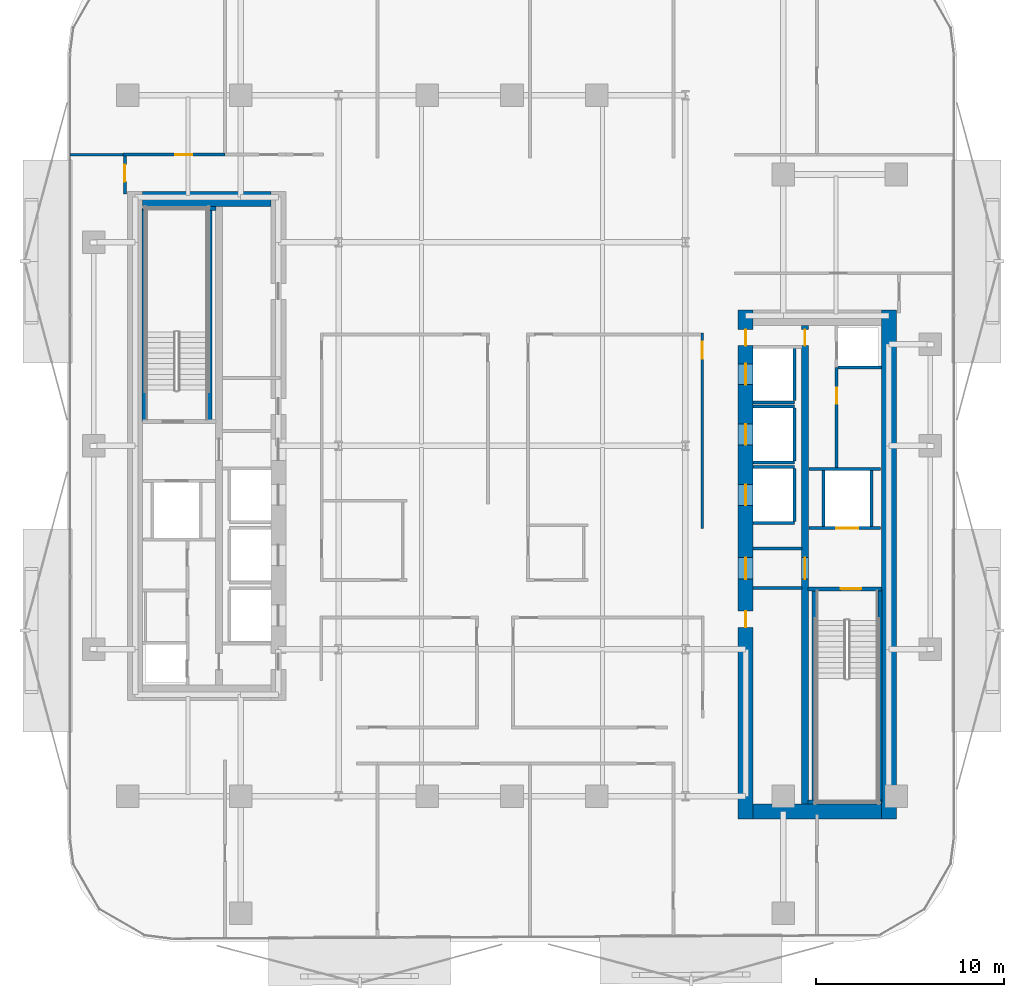
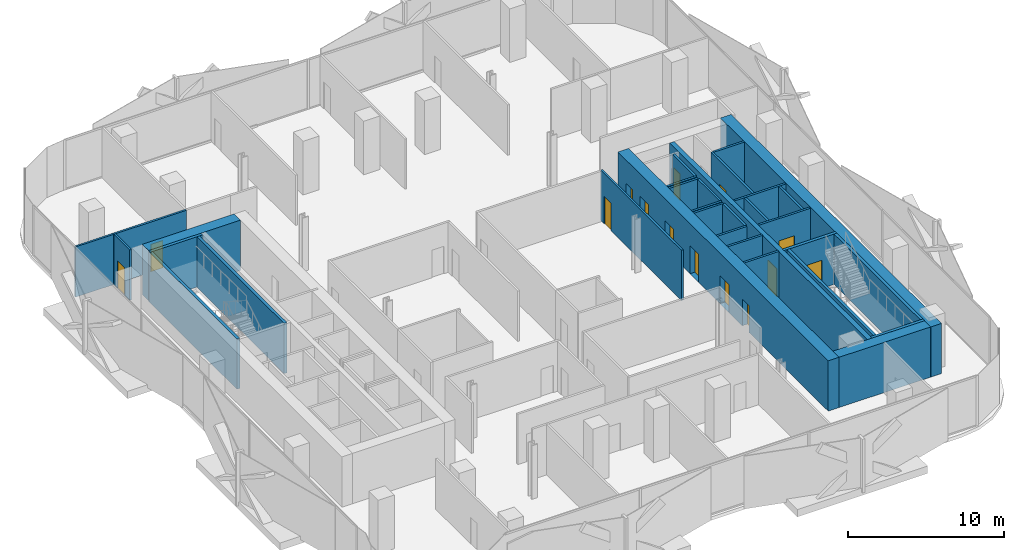
# One storey, part 5 of 15: 32 walls, 14 doors, 14 openings.
"""IFC4 building model written with IfcOpenShell, lengths in metres."""

from ifc_helpers import new_model, si_unit, direction, frame, frame_2d, origin, place, context, subcontext, project, spatial, rectangle, extrude, material, layer, layer_set, type_object, element, fill, save


model = new_model("IFC4")

# Units and contexts
model_context = context("Model", 3, precision=1e-05, world=origin(), true_north=direction((0.0, 1.0)))
body_context = subcontext(model_context, "Body", "Model", "MODEL_VIEW")
ifc_project = project(units=[si_unit("LENGTHUNIT", "METRE"), si_unit("AREAUNIT", "SQUARE_METRE"), si_unit("VOLUMEUNIT", "CUBIC_METRE"), si_unit("PLANEANGLEUNIT", "RADIAN"), si_unit("MASSUNIT", "GRAM", prefix="KILO")], contexts=[model_context])

# Site, building, storey
site_placement = place(None, origin())
site = spatial("IfcSite", under=ifc_project, at=site_placement, CompositionType="ELEMENT")
building_placement = place(site_placement, origin())
building = spatial("IfcBuilding", under=site, at=building_placement, Name="Khairoan Windgate Tower", CompositionType="ELEMENT")
storey_placement = place(building_placement, frame((0.0, 0.0, 135.199951171875)))
storey = spatial("IfcBuildingStorey", under=building, at=storey_placement, Name="L31", CompositionType="ELEMENT", Elevation=135.199951171875)

# Walls
ifc_material_1 = material(Name="Concrete C40/50", Category="concrete")
ifc_layer_1 = layer(ifc_material_1, 0.159912109375, Name="Concrete C40/50")
ifc_layer_set_1 = layer_set([ifc_layer_1], Name="Concrete C40/50")
wall_type_1 = type_object("IfcWallType", Name="Core and Hoistway Enclosure Wall", PredefinedType="STANDARD", material=ifc_layer_set_1)
wall_1_placement = place(storey_placement, frame((12.800048828125, 2.31005859375, 0.0), z_axis=(0.0, 0.0, 1.0), x_axis=(1.0, 0.0, 0.0)))
element("IfcWall", 1, at=wall_1_placement, inside=storey, type_object=wall_type_1, Name="L31 Lift PL7 Hoistway Divider S", PredefinedType="STANDARD", context=body_context, shape_type="SweptSolid", body=[
    extrude(rectangle(XDim=2.18994140625, YDim=0.159912109375, at=frame_2d((1.094970703125, 0.0))), origin(), (0.0, 0.0, 1.0), 3.93994140625),
])
wall_2_placement = place(storey_placement, frame((14.989990234375, 2.39990234375, 0.0), z_axis=(0.0, 0.0, 1.0), x_axis=(0.0, 1.0, 0.0)))
element("IfcWall", 2, at=wall_2_placement, inside=storey, type_object=wall_type_1, Name="L31 Lift PL7 Hoistway Back Wall", PredefinedType="STANDARD", context=body_context, shape_type="SweptSolid", body=[
    extrude(rectangle(XDim=2.800048828125, YDim=0.159912109375, at=frame_2d((1.39990234375, 0.0))), origin(), (0.0, 0.0, 1.0), 3.93994140625),
])
for number, where, z_axis, x_axis, name in (
    (3, (12.800048828125, -0.889892578125, 0.0), (0.0, 0.0, 1.0), (1.0, 0.0, 0.0), "L31 Lift PL8 Hoistway Divider S"),
    (4, (12.800048828125, 2.090087890625, 0.0), (0.0, 0.0, 1.0), (1.0, 0.0, 0.0), "L31 Lift PL8 Hoistway Divider N"),
):
    element("IfcWall", number, at=place(storey_placement, frame(where, z_axis=z_axis, x_axis=x_axis)), inside=storey, type_object=wall_type_1, Name=name, PredefinedType="STANDARD", context=body_context, shape_type="SweptSolid", body=[
        extrude(rectangle(XDim=2.18994140625, YDim=0.159912109375, at=frame_2d((1.094970703125, 0.0))), origin(), (0.0, 0.0, 1.0), 3.93994140625),
    ])
wall_3_placement = place(storey_placement, frame((14.989990234375, -0.800048828125, 0.0), z_axis=(0.0, 0.0, 1.0), x_axis=(0.0, 1.0, 0.0)))
element("IfcWall", 5, at=wall_3_placement, inside=storey, type_object=wall_type_1, Name="L31 Lift PL8 Hoistway Back Wall", PredefinedType="STANDARD", context=body_context, shape_type="SweptSolid", body=[
    extrude(rectangle(XDim=2.800048828125, YDim=0.159912109375, at=frame_2d((1.39990234375, 0.0))), origin(), (0.0, 0.0, 1.0), 3.93994140625),
])
for number, where, z_axis, x_axis, name in (
    (6, (12.800048828125, -4.090087890625, 0.0), (0.0, 0.0, 1.0), (1.0, 0.0, 0.0), "L31 Lift PL9 Hoistway Divider S"),
    (7, (12.800048828125, -1.110107421875, 0.0), (0.0, 0.0, 1.0), (1.0, 0.0, 0.0), "L31 Lift PL9 Hoistway Divider N"),
):
    element("IfcWall", number, at=place(storey_placement, frame(where, z_axis=z_axis, x_axis=x_axis)), inside=storey, type_object=wall_type_1, Name=name, PredefinedType="STANDARD", context=body_context, shape_type="SweptSolid", body=[
        extrude(rectangle(XDim=2.18994140625, YDim=0.159912109375, at=frame_2d((1.094970703125, 0.0))), origin(), (0.0, 0.0, 1.0), 3.93994140625),
    ])
wall_4_placement = place(storey_placement, frame((14.989990234375, -4.0, 0.0), z_axis=(0.0, 0.0, 1.0), x_axis=(0.0, 1.0, 0.0)))
element("IfcWall", 8, at=wall_4_placement, inside=storey, type_object=wall_type_1, Name="L31 Lift PL9 Hoistway Back Wall", PredefinedType="STANDARD", context=body_context, shape_type="SweptSolid", body=[
    extrude(rectangle(XDim=2.800048828125, YDim=0.159912109375, at=frame_2d((1.39990234375, 0.0))), origin(), (0.0, 0.0, 1.0), 3.93994140625),
])

# Wall, opening, door
wall_5_placement = place(storey_placement, frame((15.75, -4.360107421875, 0.0), z_axis=(0.0, 0.0, 1.0), x_axis=(1.0, 0.0, 0.0)))
wall_5 = element("IfcWall", 9, at=wall_5_placement, inside=storey, type_object=wall_type_1, Name="L31 Core Shaft Wall SW-FL1-L31", PredefinedType="STANDARD", context=body_context, shape_type="SweptSolid", body=[
    extrude(rectangle(XDim=3.800048828125, YDim=0.159912109375, at=frame_2d((1.89990234375, 0.0))), origin(), (0.0, 0.0, 1.0), 3.93994140625),
])
opening_1_placement = place(wall_5_placement, frame((1.469970703125, 0.0, 0.0)))
opening_1 = element("IfcOpeningElement", 10, at=opening_1_placement, cuts=wall_5, Name="Opening LD-FL", PredefinedType="OPENING", context=body_context, shape_type="SweptSolid", body=[
    extrude(rectangle(XDim=1.14990234375, YDim=2.199951171875, at=frame_2d((0.574951171875, 1.10009765625))), frame((0.0, 0.08984375, 0.0), z_axis=(0.0, -1.0, 0.0), x_axis=(1.0, 0.0, 0.0)), (0.0, 0.0, 1.0), 0.179931640625),
])
ifc_material_2 = material(Name="Steel S355", Category="steel")
door_type_1 = type_object("IfcDoorType", Name="Firefighting Lift Sliding Landing Door LD-FL 1150x2200", OperationType="DOUBLE_DOOR_SLIDING", PredefinedType="DOOR", material=ifc_material_2)
door_1_placement = place(opening_1_placement, origin())
door_1 = element("IfcDoor", 11, at=door_1_placement, inside=storey, type_object=door_type_1, Name="L31 Firefighting Lift FL1 Landing Door", OperationType="DOUBLE_DOOR_SLIDING", OverallHeight=2.199951171875, OverallWidth=1.14990234375, PredefinedType="DOOR", context=body_context, shape_type="SweptSolid", body=[
    extrude(rectangle(XDim=1.14990234375, YDim=2.199951171875, at=frame_2d((0.574951171875, 1.10009765625))), frame((0.0, 0.02490234375, 0.0), z_axis=(0.0, -1.0, 0.0), x_axis=(1.0, 0.0, 0.0)), (0.0, 0.0, 1.0), 0.050048828125),
])
fill(opening_1, door_1)

# Walls
wall_6_placement = place(storey_placement, frame((15.75, -1.219970703125, 0.0), z_axis=(0.0, 0.0, 1.0), x_axis=(1.0, 0.0, 0.0)))
element("IfcWall", 12, at=wall_6_placement, inside=storey, type_object=wall_type_1, Name="L31 Core Shaft Wall SW-FL1T-L31", PredefinedType="STANDARD", context=body_context, shape_type="SweptSolid", body=[
    extrude(rectangle(XDim=3.800048828125, YDim=0.159912109375, at=frame_2d((1.89990234375, 0.0))), origin(), (0.0, 0.0, 1.0), 3.93994140625),
])
for number, where, z_axis, x_axis, name in (
    (13, (16.52001953125, -4.280029296875, 0.0), (0.0, 0.0, 1.0), (0.0, 1.0, 0.0), "L31 Core Shaft Wall SW-FL1W-L31"),
    (14, (19.080078125, -4.280029296875, 0.0), (0.0, 0.0, 1.0), (0.0, 1.0, 0.0), "L31 Core Shaft Wall SW-FL1E-L31"),
):
    element("IfcWall", number, at=place(storey_placement, frame(where, z_axis=z_axis, x_axis=x_axis)), inside=storey, type_object=wall_type_1, Name=name, PredefinedType="STANDARD", context=body_context, shape_type="SweptSolid", body=[
        extrude(rectangle(XDim=2.97998046875, YDim=0.159912109375, at=frame_2d((1.489990234375, 0.0))), origin(), (0.0, 0.0, 1.0), 3.93994140625),
    ])
for number, where, z_axis, x_axis, name in (
    (15, (12.800048828125, -5.449951171875, 0.0), (0.0, 0.0, 1.0), (1.0, 0.0, 0.0), "L31 Core Shaft Wall SW-EV1-L31"),
    (16, (12.800048828125, -7.5400390625, 0.0), (0.0, 0.0, 1.0), (1.0, 0.0, 0.0), "L31 Core Shaft Wall SW-EV2-L31"),
):
    element("IfcWall", number, at=place(storey_placement, frame(where, z_axis=z_axis, x_axis=x_axis)), inside=storey, type_object=wall_type_1, Name=name, PredefinedType="STANDARD", context=body_context, shape_type="SweptSolid", body=[
        extrude(rectangle(XDim=2.599853515625, YDim=0.159912109375, at=frame_2d((1.2998046875, 0.0))), origin(), (0.0, 0.0, 1.0), 3.93994140625),
    ])
ifc_material_3 = material(Name="Acoustic Fire-Rated Gypsum Partition", Category="gypsum")
ifc_layer_2 = layer(ifc_material_3, 0.139892578125, Name="Acoustic Fire-Rated Gypsum Partition")
ifc_layer_set_2 = layer_set([ifc_layer_2], Name="Acoustic Fire-Rated Gypsum Partition")
wall_type_2 = type_object("IfcWallType", Name="Inter-Tenancy Compartment Wall", PredefinedType="PARTITIONING", material=ifc_layer_set_2)
wall_7_placement = place(storey_placement, frame((-23.455078125, 15.4599609375, 0.0), z_axis=(0.0, 0.0, 1.0), x_axis=(1.0, 0.0, 0.0)))
element("IfcWall", 17, at=wall_7_placement, inside=storey, type_object=wall_type_2, Name="L31 Interior Partition 037", PredefinedType="PARTITIONING", context=body_context, shape_type="SweptSolid", body=[
    extrude(rectangle(XDim=2.815185546875, YDim=0.139892578125, at=frame_2d((1.40771484375, 0.0))), origin(), (0.0, 0.0, 1.0), 3.93994140625),
])

# Wall, opening, door
ifc_material_4 = material(Name="Concrete C40/50", Category="concrete")
ifc_layer_3 = layer(ifc_material_4, 0.159912109375, Name="Concrete C40/50")
ifc_layer_set_3 = layer_set([ifc_layer_3], Name="Concrete C40/50")
wall_type_3 = type_object("IfcWallType", Name="Plant and Refuge Compartment Wall", PredefinedType="PARTITIONING", material=ifc_layer_set_3)
wall_8_placement = place(storey_placement, frame((17.22998046875, -1.139892578125, 0.0), z_axis=(0.0, 0.0, 1.0), x_axis=(0.0, 1.0, 0.0)))
wall_8 = element("IfcWall", 18, at=wall_8_placement, inside=storey, type_object=wall_type_3, Name="L31 Interior Partition 008", PredefinedType="PARTITIONING", context=body_context, shape_type="SweptSolid", body=[
    extrude(rectangle(XDim=5.309814453125, YDim=0.159912109375, at=frame_2d((2.65478515625, 0.0))), origin(), (0.0, 0.0, 1.0), 3.93994140625),
])
opening_2_placement = place(wall_8_placement, frame((3.375244140625, 0.0, 0.0)))
opening_2 = element("IfcOpeningElement", 19, at=opening_2_placement, cuts=wall_8, Name="Opening FD-SRV", PredefinedType="OPENING", context=body_context, shape_type="SweptSolid", body=[
    extrude(rectangle(XDim=0.85009765625, YDim=2.10009765625, at=frame_2d((0.425048828125, 1.050048828125))), frame((0.0, 0.08984375, 0.0), z_axis=(0.0, -1.0, 0.0), x_axis=(1.0, 0.0, 0.0)), (0.0, 0.0, 1.0), 0.179931640625),
])
ifc_material_5 = material(Name="Steel S355", Category="steel")
door_type_2 = type_object("IfcDoorType", Name="Core Service and Riser Fire Door FD-SRV 850x2100", OperationType="NOTDEFINED", PredefinedType="DOOR", material=ifc_material_5)
door_2_placement = place(opening_2_placement, origin())
door_2 = element("IfcDoor", 20, at=door_2_placement, inside=storey, type_object=door_type_2, Name="L31 L31-18-L31-20 Door", OperationType="SINGLE_SWING_LEFT", OverallHeight=2.10009765625, OverallWidth=0.85009765625, PredefinedType="DOOR", context=body_context, shape_type="SweptSolid", body=[
    extrude(rectangle(XDim=0.85009765625, YDim=2.10009765625, at=frame_2d((0.425048828125, 1.050048828125))), frame((0.0, 0.02490234375, 0.0), z_axis=(0.0, -1.0, 0.0), x_axis=(1.0, 0.0, 0.0)), (0.0, 0.0, 1.0), 0.050048828125),
])
fill(opening_2, door_2)

# Wall
wall_9_placement = place(storey_placement, frame((17.31005859375, 4.169921875, 0.0), z_axis=(0.0, 0.0, 1.0), x_axis=(1.0, 0.0, 0.0)))
element("IfcWall", 21, at=wall_9_placement, inside=storey, type_object=wall_type_3, Name="L31 Interior Partition 009", PredefinedType="PARTITIONING", context=body_context, shape_type="SweptSolid", body=[
    extrude(rectangle(XDim=2.2900390625, YDim=0.159912109375, at=frame_2d((1.14501953125, 0.0))), origin(), (0.0, 0.0, 1.0), 3.93994140625),
])

# Wall, opening, door
ifc_material_6 = material(Name="Acoustic Fire-Rated Gypsum Partition", Category="gypsum")
ifc_layer_4 = layer(ifc_material_6, 0.14990234375, Name="Acoustic Fire-Rated Gypsum Partition")
ifc_layer_set_4 = layer_set([ifc_layer_4], Name="Acoustic Fire-Rated Gypsum Partition")
wall_type_4 = type_object("IfcWallType", Name="Rated Corridor Partition Wall", PredefinedType="PARTITIONING", material=ifc_layer_set_4)
wall_10_placement = place(storey_placement, frame((10.10009765625, -4.3798828125, 0.0), z_axis=(0.0, 0.0, 1.0), x_axis=(0.0, 1.0, 0.0)))
wall_10 = element("IfcWall", 22, at=wall_10_placement, inside=storey, type_object=wall_type_4, Name="L31 Interior Partition 014", PredefinedType="PARTITIONING", context=body_context, shape_type="SweptSolid", body=[
    extrude(rectangle(XDim=10.375, YDim=0.14990234375, at=frame_2d((5.1875, 0.0))), origin(), (0.0, 0.0, 1.0), 3.93994140625),
])
opening_3_placement = place(wall_10_placement, frame((9.014892578125, 0.0, 0.0)))
opening_3 = element("IfcOpeningElement", 23, at=opening_3_placement, cuts=wall_10, Name="Opening FD-ENT", PredefinedType="OPENING", context=body_context, shape_type="SweptSolid", body=[
    extrude(rectangle(XDim=0.89990234375, YDim=2.14990234375, at=frame_2d((0.449951171875, 1.074951171875))), frame((0.0, 0.0849609375, 0.0), z_axis=(0.0, -1.0, 0.0), x_axis=(1.0, 0.0, 0.0)), (0.0, 0.0, 1.0), 0.169921875),
])
ifc_material_7 = material(Name="Timber Fire-Rated Core", Category="wood")
door_type_3 = type_object("IfcDoorType", Name="Unit and Office Fire Entrance Door FD-ENT 900x2150", OperationType="NOTDEFINED", PredefinedType="DOOR", material=ifc_material_7)
door_3_placement = place(opening_3_placement, origin())
door_3 = element("IfcDoor", 24, at=door_3_placement, inside=storey, type_object=door_type_3, Name="L31 L31-28-L31-52 Door", OperationType="SINGLE_SWING_RIGHT", OverallHeight=2.14990234375, OverallWidth=0.89990234375, PredefinedType="DOOR", context=body_context, shape_type="SweptSolid", body=[
    extrude(rectangle(XDim=0.89990234375, YDim=2.14990234375, at=frame_2d((0.449951171875, 1.074951171875))), frame((0.0, 0.02490234375, 0.0), z_axis=(0.0, -1.0, 0.0), x_axis=(1.0, 0.0, 0.0)), (0.0, 0.0, 1.0), 0.050048828125),
])
fill(opening_3, door_3)

wall_11_placement = place(storey_placement, frame((-20.5400390625, 13.360107421875, 0.0), z_axis=(0.0, 0.0, 1.0), x_axis=(0.0, 1.0, 0.0)))
wall_11 = element("IfcWall", 25, at=wall_11_placement, inside=storey, type_object=wall_type_4, Name="L31 Interior Partition 025", PredefinedType="PARTITIONING", context=body_context, shape_type="SweptSolid", body=[
    extrude(rectangle(XDim=2.02490234375, YDim=0.14990234375, at=frame_2d((1.012451171875, 0.0))), origin(), (0.0, 0.0, 1.0), 3.93994140625),
])
opening_4_placement = place(wall_11_placement, frame((0.6650390625, 0.0, 0.0)))
opening_4 = element("IfcOpeningElement", 26, at=opening_4_placement, cuts=wall_11, Name="Opening FD-ENT", PredefinedType="OPENING", context=body_context, shape_type="SweptSolid", body=[
    extrude(rectangle(XDim=0.89990234375, YDim=2.14990234375, at=frame_2d((0.449951171875, 1.074951171875))), frame((0.0, 0.0849609375, 0.0), z_axis=(0.0, -1.0, 0.0), x_axis=(1.0, 0.0, 0.0)), (0.0, 0.0, 1.0), 0.169921875),
])
door_4_placement = place(opening_4_placement, origin())
door_4 = element("IfcDoor", 27, at=door_4_placement, inside=storey, type_object=door_type_3, Name="L31 L31-32-L31-36 Door", OperationType="SINGLE_SWING_LEFT", OverallHeight=2.14990234375, OverallWidth=0.89990234375, PredefinedType="DOOR", context=body_context, shape_type="SweptSolid", body=[
    extrude(rectangle(XDim=0.89990234375, YDim=2.14990234375, at=frame_2d((0.449951171875, 1.074951171875))), frame((0.0, 0.02490234375, 0.0), z_axis=(0.0, -1.0, 0.0), x_axis=(1.0, 0.0, 0.0)), (0.0, 0.0, 1.0), 0.050048828125),
])
fill(opening_4, door_4)

wall_12_placement = place(storey_placement, frame((-20.639892578125, 15.4599609375, 0.0), z_axis=(0.0, 0.0, 1.0), x_axis=(1.0, 0.0, 0.0)))
wall_12 = element("IfcWall", 28, at=wall_12_placement, inside=storey, type_object=wall_type_4, Name="L31 Interior Partition 026", PredefinedType="PARTITIONING", context=body_context, shape_type="SweptSolid", body=[
    extrude(rectangle(XDim=5.407958984375, YDim=0.14990234375, at=frame_2d((2.7041015625, 0.0))), origin(), (0.0, 0.0, 1.0), 3.93994140625),
])
opening_5_placement = place(wall_12_placement, frame((2.781494140625, 0.0, 0.0)))
opening_5 = element("IfcOpeningElement", 29, at=opening_5_placement, cuts=wall_12, Name="Opening FD-ENT", PredefinedType="OPENING", context=body_context, shape_type="SweptSolid", body=[
    extrude(rectangle(XDim=0.89990234375, YDim=2.14990234375, at=frame_2d((0.449951171875, 1.074951171875))), frame((0.0, 0.0849609375, 0.0), z_axis=(0.0, -1.0, 0.0), x_axis=(1.0, 0.0, 0.0)), (0.0, 0.0, 1.0), 0.169921875),
])
door_5_placement = place(opening_5_placement, origin())
door_5 = element("IfcDoor", 30, at=door_5_placement, inside=storey, type_object=door_type_3, Name="L31 L31-32-L31-39 Door", OperationType="SINGLE_SWING_RIGHT", OverallHeight=2.14990234375, OverallWidth=0.89990234375, PredefinedType="DOOR", context=body_context, shape_type="SweptSolid", body=[
    extrude(rectangle(XDim=0.89990234375, YDim=2.14990234375, at=frame_2d((0.449951171875, 1.074951171875))), frame((0.0, 0.02490234375, 0.0), z_axis=(0.0, -1.0, 0.0), x_axis=(1.0, 0.0, 0.0)), (0.0, 0.0, 1.0), 0.050048828125),
])
fill(opening_5, door_5)

# Wall, openings, doors
ifc_material_8 = material(Name="Concrete C70/85", Category="concrete")
ifc_layer_5 = layer(ifc_material_8, 0.800048828125, Name="Concrete C70/85")
ifc_layer_set_5 = layer_set([ifc_layer_5], Name="Concrete C70/85")
wall_type_5 = type_object("IfcWallType", Name="Shear Wall CW-E1 800mm", PredefinedType="SHEAR", material=ifc_layer_set_5)
wall_13_placement = place(storey_placement, frame((12.39990234375, -19.800048828125, 0.0), z_axis=(0.0, 0.0, 1.0), x_axis=(0.0, 1.0, 0.0)))
wall_13 = element("IfcWall", 31, at=wall_13_placement, inside=storey, type_object=wall_type_5, Name="E Core West Shear Wall L31", PredefinedType="SHEAR", context=body_context, shape_type="SweptSolid", body=[
    extrude(rectangle(XDim=27.0, YDim=0.800048828125, at=frame_2d((13.5, 0.0))), origin(), (0.0, 0.0, 1.0), 3.93994140625),
])
opening_6_placement = place(wall_13_placement, frame((23.050048828125, 0.0, 0.0)))
opening_6 = element("IfcOpeningElement", 32, at=opening_6_placement, cuts=wall_13, Name="Opening LD-PL", PredefinedType="OPENING", context=body_context, shape_type="SweptSolid", body=[
    extrude(rectangle(XDim=1.10009765625, YDim=2.199951171875, at=frame_2d((0.550048828125, 1.10009765625))), frame((0.0, 0.409912109375, 0.0), z_axis=(0.0, -1.0, 0.0), x_axis=(1.0, 0.0, 0.0)), (0.0, 0.0, 1.0), 0.820068359375),
])
opening_7_placement = place(wall_13_placement, frame((19.85009765625, 0.0, 0.0)))
opening_7 = element("IfcOpeningElement", 33, at=opening_7_placement, cuts=wall_13, Name="Opening LD-PL", PredefinedType="OPENING", context=body_context, shape_type="SweptSolid", body=[
    extrude(rectangle(XDim=1.10009765625, YDim=2.199951171875, at=frame_2d((0.550048828125, 1.10009765625))), frame((0.0, 0.409912109375, 0.0), z_axis=(0.0, -1.0, 0.0), x_axis=(1.0, 0.0, 0.0)), (0.0, 0.0, 1.0), 0.820068359375),
])
opening_8_placement = place(wall_13_placement, frame((16.64990234375, 0.0, 0.0)))
opening_8 = element("IfcOpeningElement", 34, at=opening_8_placement, cuts=wall_13, Name="Opening LD-PL", PredefinedType="OPENING", context=body_context, shape_type="SweptSolid", body=[
    extrude(rectangle(XDim=1.10009765625, YDim=2.199951171875, at=frame_2d((0.550048828125, 1.10009765625))), frame((0.0, 0.409912109375, 0.0), z_axis=(0.0, -1.0, 0.0), x_axis=(1.0, 0.0, 0.0)), (0.0, 0.0, 1.0), 0.820068359375),
])
opening_9_placement = place(wall_13_placement, frame((10.175048828125, 0.0, 0.0)))
opening_9 = element("IfcOpeningElement", 35, at=opening_9_placement, cuts=wall_13, Name="Opening FD-SRV", PredefinedType="OPENING", context=body_context, shape_type="SweptSolid", body=[
    extrude(rectangle(XDim=0.85009765625, YDim=2.10009765625, at=frame_2d((0.425048828125, 1.050048828125))), frame((0.0, 0.409912109375, 0.0), z_axis=(0.0, -1.0, 0.0), x_axis=(1.0, 0.0, 0.0)), (0.0, 0.0, 1.0), 0.820068359375),
])
opening_10_placement = place(wall_13_placement, frame((12.72509765625, 0.0, 0.0)))
opening_10 = element("IfcOpeningElement", 36, at=opening_10_placement, cuts=wall_13, Name="Opening FD-FFL", PredefinedType="OPENING", context=body_context, shape_type="SweptSolid", body=[
    extrude(rectangle(XDim=1.14990234375, YDim=2.199951171875, at=frame_2d((0.574951171875, 1.10009765625))), frame((0.0, 0.409912109375, 0.0), z_axis=(0.0, -1.0, 0.0), x_axis=(1.0, 0.0, 0.0)), (0.0, 0.0, 1.0), 0.820068359375),
])
opening_11_placement = place(wall_13_placement, frame((25.125, 0.0, 0.0)))
opening_11 = element("IfcOpeningElement", 37, at=opening_11_placement, cuts=wall_13, Name="Opening FD-SRV", PredefinedType="OPENING", context=body_context, shape_type="SweptSolid", body=[
    extrude(rectangle(XDim=0.85009765625, YDim=2.10009765625, at=frame_2d((0.425048828125, 1.050048828125))), frame((0.0, 0.409912109375, 0.0), z_axis=(0.0, -1.0, 0.0), x_axis=(1.0, 0.0, 0.0)), (0.0, 0.0, 1.0), 0.820068359375),
])
door_6_placement = place(opening_9_placement, origin())
door_6 = element("IfcDoor", 38, at=door_6_placement, inside=storey, type_object=door_type_2, Name="L31 East Core Service Room Door 1", OperationType="SINGLE_SWING_RIGHT", OverallHeight=2.10009765625, OverallWidth=0.85009765625, PredefinedType="DOOR", context=body_context, shape_type="SweptSolid", body=[
    extrude(rectangle(XDim=0.85009765625, YDim=2.10009765625, at=frame_2d((0.425048828125, 1.050048828125))), frame((0.0, 0.02490234375, 0.0), z_axis=(0.0, -1.0, 0.0), x_axis=(1.0, 0.0, 0.0)), (0.0, 0.0, 1.0), 0.050048828125),
])
fill(opening_9, door_6)
door_7_placement = place(opening_11_placement, origin())
door_7 = element("IfcDoor", 39, at=door_7_placement, inside=storey, type_object=door_type_2, Name="L31 East Core Service Vestibule Outer Door", OperationType="SINGLE_SWING_LEFT", OverallHeight=2.10009765625, OverallWidth=0.85009765625, PredefinedType="DOOR", context=body_context, shape_type="SweptSolid", body=[
    extrude(rectangle(XDim=0.85009765625, YDim=2.10009765625, at=frame_2d((0.425048828125, 1.050048828125))), frame((0.0, 0.02490234375, 0.0), z_axis=(0.0, -1.0, 0.0), x_axis=(1.0, 0.0, 0.0)), (0.0, 0.0, 1.0), 0.050048828125),
])
fill(opening_11, door_7)
ifc_material_9 = material(Name="Steel S355", Category="steel")
door_type_4 = type_object("IfcDoorType", Name="Firefighting Lobby Fire Door FD-FFL 1150x2200", OperationType="NOTDEFINED", PredefinedType="DOOR", material=ifc_material_9)
door_8_placement = place(opening_10_placement, origin())
door_8 = element("IfcDoor", 40, at=door_8_placement, inside=storey, type_object=door_type_4, Name="L31 East Core Vestibule Entry Door", OperationType="SINGLE_SWING_LEFT", OverallHeight=2.199951171875, OverallWidth=1.14990234375, PredefinedType="DOOR", context=body_context, shape_type="SweptSolid", body=[
    extrude(rectangle(XDim=1.14990234375, YDim=2.199951171875, at=frame_2d((0.574951171875, 1.10009765625))), frame((0.0, 0.02490234375, 0.0), z_axis=(0.0, -1.0, 0.0), x_axis=(1.0, 0.0, 0.0)), (0.0, 0.0, 1.0), 0.050048828125),
])
fill(opening_10, door_8)
ifc_material_10 = material(Name="Anodised Bronze Aluminium 6063-T6", Category="aluminium")
door_type_5 = type_object("IfcDoorType", Name="Passenger Lift Sliding Landing Door LD-PL 1100x2200", OperationType="DOUBLE_DOOR_SLIDING", PredefinedType="DOOR", material=ifc_material_10)
door_9_placement = place(opening_6_placement, origin())
door_9 = element("IfcDoor", 41, at=door_9_placement, inside=storey, type_object=door_type_5, Name="L31 Lift PL7 Sliding Landing Door", OperationType="DOUBLE_DOOR_SLIDING", OverallHeight=2.199951171875, OverallWidth=1.10009765625, PredefinedType="DOOR", context=body_context, shape_type="SweptSolid", body=[
    extrude(rectangle(XDim=1.10009765625, YDim=2.199951171875, at=frame_2d((0.550048828125, 1.10009765625))), frame((0.0, 0.02490234375, 0.0), z_axis=(0.0, -1.0, 0.0), x_axis=(1.0, 0.0, 0.0)), (0.0, 0.0, 1.0), 0.050048828125),
])
fill(opening_6, door_9)
door_10_placement = place(opening_7_placement, origin())
door_10 = element("IfcDoor", 42, at=door_10_placement, inside=storey, type_object=door_type_5, Name="L31 Lift PL8 Sliding Landing Door", OperationType="DOUBLE_DOOR_SLIDING", OverallHeight=2.199951171875, OverallWidth=1.10009765625, PredefinedType="DOOR", context=body_context, shape_type="SweptSolid", body=[
    extrude(rectangle(XDim=1.10009765625, YDim=2.199951171875, at=frame_2d((0.550048828125, 1.10009765625))), frame((0.0, 0.02490234375, 0.0), z_axis=(0.0, -1.0, 0.0), x_axis=(1.0, 0.0, 0.0)), (0.0, 0.0, 1.0), 0.050048828125),
])
fill(opening_7, door_10)
door_11_placement = place(opening_8_placement, origin())
door_11 = element("IfcDoor", 43, at=door_11_placement, inside=storey, type_object=door_type_5, Name="L31 Lift PL9 Sliding Landing Door", OperationType="DOUBLE_DOOR_SLIDING", OverallHeight=2.199951171875, OverallWidth=1.10009765625, PredefinedType="DOOR", context=body_context, shape_type="SweptSolid", body=[
    extrude(rectangle(XDim=1.10009765625, YDim=2.199951171875, at=frame_2d((0.550048828125, 1.10009765625))), frame((0.0, 0.02490234375, 0.0), z_axis=(0.0, -1.0, 0.0), x_axis=(1.0, 0.0, 0.0)), (0.0, 0.0, 1.0), 0.050048828125),
])
fill(opening_8, door_11)

# Walls
wall_14_placement = place(storey_placement, frame((20.0, -19.800048828125, 0.0), z_axis=(0.0, 0.0, 1.0), x_axis=(0.0, 1.0, 0.0)))
element("IfcWall", 44, at=wall_14_placement, inside=storey, type_object=wall_type_5, Name="E Core East Shear Wall L31", PredefinedType="SHEAR", context=body_context, shape_type="SweptSolid", body=[
    extrude(rectangle(XDim=27.0, YDim=0.800048828125, at=frame_2d((13.5, 0.0))), origin(), (0.0, 0.0, 1.0), 3.93994140625),
])
wall_15_placement = place(storey_placement, frame((12.800048828125, -19.39990234375, 0.0), z_axis=(0.0, 0.0, 1.0), x_axis=(1.0, 0.0, 0.0)))
element("IfcWall", 45, at=wall_15_placement, inside=storey, type_object=wall_type_5, Name="E Core South Shear Wall L31", PredefinedType="SHEAR", context=body_context, shape_type="SweptSolid", body=[
    extrude(rectangle(XDim=6.800048828125, YDim=0.800048828125, at=frame_2d((3.39990234375, 0.0))), origin(), (0.0, 0.0, 1.0), 3.93994140625),
])
ifc_material_11 = material(Name="Concrete C70/85", Category="concrete")
ifc_layer_6 = layer(ifc_material_11, 0.800048828125, Name="Concrete C70/85")
ifc_layer_set_6 = layer_set([ifc_layer_6], Name="Concrete C70/85")
wall_type_6 = type_object("IfcWallType", Name="Shear Wall CW-W1 800mm", PredefinedType="SHEAR", material=ifc_layer_set_6)
wall_16_placement = place(storey_placement, frame((-19.60009765625, 13.10009765625, 0.0), z_axis=(0.0, 0.0, 1.0), x_axis=(1.0, 0.0, 0.0)))
element("IfcWall", 46, at=wall_16_placement, inside=storey, type_object=wall_type_6, Name="W Core North Shear Wall L31", PredefinedType="SHEAR", context=body_context, shape_type="SweptSolid", body=[
    extrude(rectangle(XDim=6.800048828125, YDim=0.800048828125, at=frame_2d((3.39990234375, 0.0))), origin(), (0.0, 0.0, 1.0), 3.93994140625),
])

# Wall, openings, doors
ifc_material_12 = material(Name="Concrete C60/75", Category="concrete")
ifc_layer_7 = layer(ifc_material_12, 0.35009765625, Name="Concrete C60/75")
ifc_layer_set_7 = layer_set([ifc_layer_7], Name="Concrete C60/75")
wall_type_7 = type_object("IfcWallType", Name="Shear Wall SW-1 350mm", PredefinedType="SHEAR", material=ifc_layer_set_7)
wall_17_placement = place(storey_placement, frame((15.550048828125, -19.0, 0.0), z_axis=(0.0, 0.0, 1.0), x_axis=(0.0, 1.0, 0.0)))
wall_17 = element("IfcWall", 47, at=wall_17_placement, inside=storey, type_object=wall_type_7, Name="E Core Spine Shear Wall L31", PredefinedType="SHEAR", context=body_context, shape_type="SweptSolid", body=[
    extrude(rectangle(XDim=25.39990234375, YDim=0.35009765625, at=frame_2d((12.699951171875, 0.0))), origin(), (0.0, 0.0, 1.0), 3.93994140625),
])
opening_12_placement = place(wall_17_placement, frame((11.925048828125, 0.0, 0.0)))
opening_12 = element("IfcOpeningElement", 48, at=opening_12_placement, cuts=wall_17, Name="Opening FD-FFL", PredefinedType="OPENING", context=body_context, shape_type="SweptSolid", body=[
    extrude(rectangle(XDim=1.14990234375, YDim=2.199951171875, at=frame_2d((0.574951171875, 1.10009765625))), frame((0.0, 0.18505859375, 0.0), z_axis=(0.0, -1.0, 0.0), x_axis=(1.0, 0.0, 0.0)), (0.0, 0.0, 1.0), 0.3701171875),
])
opening_13_placement = place(wall_17_placement, frame((24.324951171875, 0.0, 0.0)))
opening_13 = element("IfcOpeningElement", 49, at=opening_13_placement, cuts=wall_17, Name="Opening FD-SRV", PredefinedType="OPENING", context=body_context, shape_type="SweptSolid", body=[
    extrude(rectangle(XDim=0.85009765625, YDim=2.10009765625, at=frame_2d((0.425048828125, 1.050048828125))), frame((0.0, 0.18505859375, 0.0), z_axis=(0.0, -1.0, 0.0), x_axis=(1.0, 0.0, 0.0)), (0.0, 0.0, 1.0), 0.3701171875),
])
door_12_placement = place(opening_13_placement, origin())
door_12 = element("IfcDoor", 50, at=door_12_placement, inside=storey, type_object=door_type_2, Name="L31 East Core Service Passage Inner Door", OperationType="SINGLE_SWING_RIGHT", OverallHeight=2.10009765625, OverallWidth=0.85009765625, PredefinedType="DOOR", context=body_context, shape_type="SweptSolid", body=[
    extrude(rectangle(XDim=0.85009765625, YDim=2.10009765625, at=frame_2d((0.425048828125, 1.050048828125))), frame((0.0, 0.02490234375, 0.0), z_axis=(0.0, -1.0, 0.0), x_axis=(1.0, 0.0, 0.0)), (0.0, 0.0, 1.0), 0.050048828125),
])
fill(opening_13, door_12)
door_13_placement = place(opening_12_placement, origin())
door_13 = element("IfcDoor", 51, at=door_13_placement, inside=storey, type_object=door_type_4, Name="L31 East Firefighting Lobby Fire Door", OperationType="SINGLE_SWING_RIGHT", OverallHeight=2.199951171875, OverallWidth=1.14990234375, PredefinedType="DOOR", context=body_context, shape_type="SweptSolid", body=[
    extrude(rectangle(XDim=1.14990234375, YDim=2.199951171875, at=frame_2d((0.574951171875, 1.10009765625))), frame((0.0, 0.02490234375, 0.0), z_axis=(0.0, -1.0, 0.0), x_axis=(1.0, 0.0, 0.0)), (0.0, 0.0, 1.0), 0.050048828125),
])
fill(opening_12, door_13)

# Walls
ifc_material_13 = material(Name="Concrete C50/60", Category="concrete")
ifc_layer_8 = layer(ifc_material_13, 0.219970703125, Name="Concrete C50/60")
ifc_layer_set_8 = layer_set([ifc_layer_8], Name="Concrete C50/60")
wall_type_8 = type_object("IfcWallType", Name="Shear Wall SW-ST 220mm", PredefinedType="SHEAR", material=ifc_layer_set_8)
for number, where, z_axis, x_axis, name in (
    (52, (16.0400390625, -18.889892578125, 0.0), (0.0, 0.0, 1.0), (0.0, 1.0, 0.0), "L31 Stair ST1 West Bearing Wall"),
    (53, (19.530029296875, -18.889892578125, 0.0), (0.0, 0.0, 1.0), (0.0, 1.0, 0.0), "L31 Stair ST1 East Bearing Wall"),
):
    element("IfcWall", number, at=place(storey_placement, frame(where, z_axis=z_axis, x_axis=x_axis)), inside=storey, type_object=wall_type_8, Name=name, PredefinedType="SHEAR", context=body_context, shape_type="SweptSolid", body=[
        extrude(rectangle(XDim=11.2998046875, YDim=0.219970703125, at=frame_2d((5.64990234375, 0.0))), origin(), (0.0, 0.0, 1.0), 3.93994140625),
    ])
wall_18_placement = place(storey_placement, frame((15.705078125, -18.889892578125, 0.0), z_axis=(0.0, 0.0, 1.0), x_axis=(1.0, 0.0, 0.0)))
element("IfcWall", 54, at=wall_18_placement, inside=storey, type_object=wall_type_8, Name="L31 Stair ST1 South Bearing Wall", PredefinedType="SHEAR", context=body_context, shape_type="SweptSolid", body=[
    extrude(rectangle(XDim=3.9150390625, YDim=0.219970703125, at=frame_2d((1.95751953125, 0.0))), origin(), (0.0, 0.0, 1.0), 3.93994140625),
])

# Wall, opening, door
wall_19_placement = place(storey_placement, frame((19.6201171875, -7.590087890625, 0.0), z_axis=(0.0, 0.0, 1.0), x_axis=(-1.0, 0.0, 0.0)))
wall_19 = element("IfcWall", 55, at=wall_19_placement, inside=storey, type_object=wall_type_8, Name="L31 Stair ST1 North Bearing Wall", PredefinedType="SHEAR", context=body_context, shape_type="SweptSolid", body=[
    extrude(rectangle(XDim=3.9150390625, YDim=0.219970703125, at=frame_2d((1.95751953125, 0.0))), origin(), (0.0, 0.0, 1.0), 3.93994140625),
])
opening_14_placement = place(wall_19_placement, frame((1.080078125, 0.0, 0.0)))
opening_14 = element("IfcOpeningElement", 56, at=opening_14_placement, cuts=wall_19, Name="Opening FD-ST", PredefinedType="OPENING", context=body_context, shape_type="SweptSolid", body=[
    extrude(rectangle(XDim=1.10009765625, YDim=2.199951171875, at=frame_2d((0.550048828125, 1.10009765625))), frame((0.0, 0.119873046875, 0.0), z_axis=(0.0, -1.0, 0.0), x_axis=(1.0, 0.0, 0.0)), (0.0, 0.0, 1.0), 0.239990234375),
])
ifc_material_14 = material(Name="Steel S355", Category="steel")
door_type_6 = type_object("IfcDoorType", Name="Smokeproof Stair Fire Door FD-ST 1100x2200", OperationType="NOTDEFINED", PredefinedType="DOOR", material=ifc_material_14)
door_14_placement = place(opening_14_placement, origin())
door_14 = element("IfcDoor", 57, at=door_14_placement, inside=storey, type_object=door_type_6, Name="L31 Stair ST1 Fire Door", OperationType="SINGLE_SWING_RIGHT", OverallHeight=2.199951171875, OverallWidth=1.10009765625, PredefinedType="DOOR", context=body_context, shape_type="SweptSolid", body=[
    extrude(rectangle(XDim=1.10009765625, YDim=2.199951171875, at=frame_2d((0.550048828125, 1.10009765625))), frame((0.0, 0.02490234375, 0.0), z_axis=(0.0, -1.0, 0.0), x_axis=(1.0, 0.0, 0.0)), (0.0, 0.0, 1.0), 0.050048828125),
])
fill(opening_14, door_14)

# Walls
for number, where, z_axis, x_axis, name in (
    (58, (-16.0400390625, 1.2900390625, 0.0), (0.0, 0.0, 1.0), (0.0, 1.0, 0.0), "L31 Stair ST2 East Bearing Wall"),
    (59, (-19.530029296875, 1.2900390625, 0.0), (0.0, 0.0, 1.0), (0.0, 1.0, 0.0), "L31 Stair ST2 West Bearing Wall"),
):
    element("IfcWall", number, at=place(storey_placement, frame(where, z_axis=z_axis, x_axis=x_axis)), inside=storey, type_object=wall_type_8, Name=name, PredefinedType="SHEAR", context=body_context, shape_type="SweptSolid", body=[
        extrude(rectangle(XDim=11.300048828125, YDim=0.219970703125, at=frame_2d((5.64990234375, 0.0))), origin(), (0.0, 0.0, 1.0), 3.93994140625),
    ])
wall_20_placement = place(storey_placement, frame((-19.6201171875, 12.590087890625, 0.0), z_axis=(0.0, 0.0, 1.0), x_axis=(1.0, 0.0, 0.0)))
element("IfcWall", 60, at=wall_20_placement, inside=storey, type_object=wall_type_8, Name="L31 Stair ST2 North Bearing Wall", PredefinedType="SHEAR", context=body_context, shape_type="SweptSolid", body=[
    extrude(rectangle(XDim=3.9150390625, YDim=0.219970703125, at=frame_2d((1.95751953125, 0.0))), origin(), (0.0, 0.0, 1.0), 3.93994140625),
])

save(model, "model.ifc")
